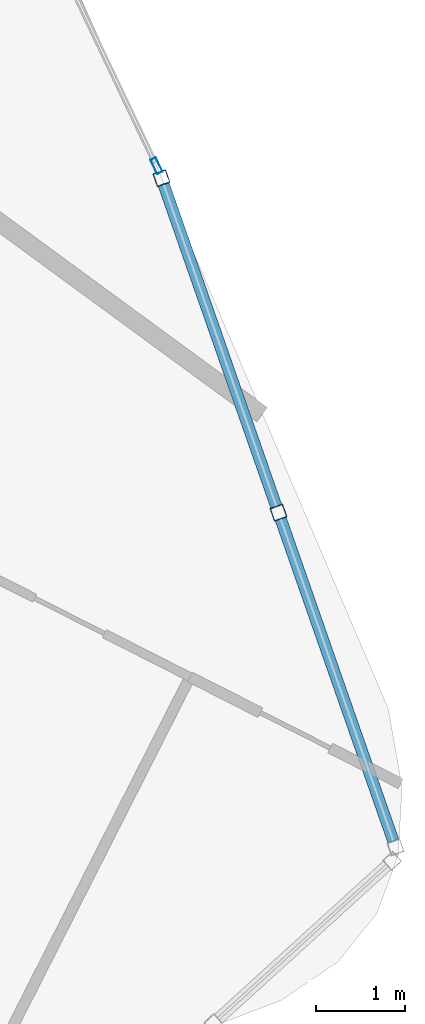
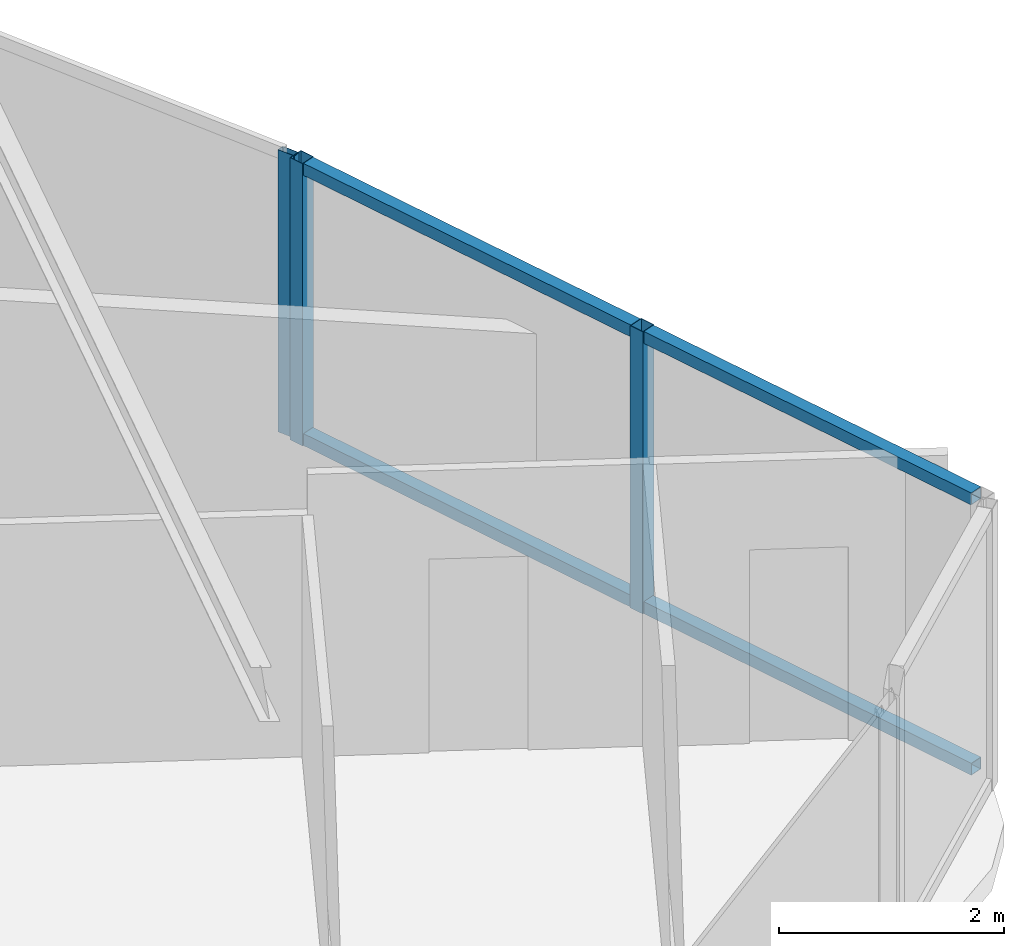
# One storey, part 17 of 35: 7 members, 2 elements without a shape of their own.
"""IFC4 building model written with IfcOpenShell, lengths in metres."""

import ifcopenshell
import ifcopenshell.guid

model = None  # the IFC model being written
_history = None  # IfcOwnerHistory: only IFC2X3 demands one
_inside = {}  # id of a spatial element -> (the spatial element, [elements in it])
_under = {}  # id of a project, library or spatial element -> (it, [spatial elements below it])
_declared = {}  # id of a project -> (the project, [libraries it declares])
_typed = {}  # id of a type object -> (the type object, [elements of that type])
_made_of = {}  # id of a material, layer set ... -> (it, [elements and type objects made of it])


def new_model(schema):
    """Start an empty IFC model of exactly this schema.

    Asked for "IFC4X3", IfcOpenShell would pick the latest addendum, in which some entities
    have other attributes; the version numbers below select the first issue.
    IFC2X3 requires an IfcOwnerHistory on every rooted entity: one is made here for all.
    """
    global model, _history
    if schema == "IFC4X3":
        model = ifcopenshell.file(schema_version=(4, 3, 0, 0))
    else:
        model = ifcopenshell.file(schema=schema)
    _inside.clear()
    _under.clear()
    _declared.clear()
    _typed.clear()
    _made_of.clear()
    _history = None
    if model.schema == "IFC2X3":
        org = make("IfcOrganization", Name="unknown")
        user = make(
            "IfcPersonAndOrganization",
            ThePerson=make("IfcPerson", FamilyName="unknown"),
            TheOrganization=org,
        )
        app = make(
            "IfcApplication",
            ApplicationDeveloper=org,
            Version="unknown",
            ApplicationFullName="unknown",
            ApplicationIdentifier="unknown",
        )
        _history = make(
            "IfcOwnerHistory",
            OwningUser=user,
            OwningApplication=app,
            ChangeAction="ADDED",
            CreationDate=0,
        )
    return model


def make(cls, **values):
    """One entity of the class cls with the attributes given. An attribute that is None is left unset."""
    return model.create_entity(
        cls, **{name: value for name, value in values.items() if value is not None}
    )


def rooted(cls, **values):
    """An entity with a GlobalId (a new one), such as an element, a storey or a relation."""
    return make(cls, GlobalId=ifcopenshell.guid.new(), OwnerHistory=_history, **values)


def si_unit(unit_type, name, prefix=None):
    """IfcSIUnit, for example si_unit("LENGTHUNIT", "METRE", prefix="MILLI")."""
    return make("IfcSIUnit", UnitType=unit_type, Prefix=prefix, Name=name)


def assignment(units):
    """IfcUnitAssignment: the units of a project."""
    return None if units is None else make("IfcUnitAssignment", Units=units)


def point(xyz):
    """IfcCartesianPoint."""
    return None if xyz is None else make("IfcCartesianPoint", Coordinates=xyz)


def direction(xyz):
    """IfcDirection."""
    return None if xyz is None else make("IfcDirection", DirectionRatios=xyz)


def frame(location, z_axis=None, x_axis=None):
    """IfcAxis2Placement3D, a coordinate frame: its origin and axes. An axis left out is left unset."""
    return make(
        "IfcAxis2Placement3D",
        Location=point(location),
        Axis=direction(z_axis),
        RefDirection=direction(x_axis),
    )


def frame_2d(location, x_axis=None):
    """IfcAxis2Placement2D, a coordinate frame in the plane: its origin and x axis."""
    return make(
        "IfcAxis2Placement2D", Location=point(location), RefDirection=direction(x_axis)
    )


def origin():
    """The frame at (0, 0, 0) with its axes left unset."""
    return frame((0.0, 0.0, 0.0))


def origin_2d():
    """The frame at (0, 0) in the plane with its x axis left unset."""
    return frame_2d((0.0, 0.0))


def place(relative_to, where):
    """IfcLocalPlacement: puts the frame where relative to a parent placement (None: the world)."""
    return make(
        "IfcLocalPlacement", PlacementRelTo=relative_to, RelativePlacement=where
    )


def context(
    kind, dimensions, precision=None, world=None, true_north=None, identifier=None
):
    """IfcGeometricRepresentationContext, for example the 3D "Model" context."""
    return make(
        "IfcGeometricRepresentationContext",
        ContextIdentifier=identifier,
        ContextType=kind,
        CoordinateSpaceDimension=dimensions,
        Precision=precision,
        WorldCoordinateSystem=world,
        TrueNorth=true_north,
    )


def subcontext(parent, identifier, kind, view, scale=None):
    """IfcGeometricRepresentationSubContext, for example "Body" below "Model"."""
    return make(
        "IfcGeometricRepresentationSubContext",
        ContextIdentifier=identifier,
        ContextType=kind,
        ParentContext=parent,
        TargetScale=scale,
        TargetView=view,
    )


def project(units=None, contexts=None):
    """IfcProject with its units and contexts."""
    return rooted(
        "IfcProject",
        Name="project",
        RepresentationContexts=contexts,
        UnitsInContext=assignment(units),
    )


def spatial(cls, under=None, at=None, **own):
    """A site, building, storey or space (cls), placed at a placement, below another one or the project."""
    s = rooted(cls, ObjectPlacement=at, **own)
    if under is not None:
        _under.setdefault(under.id(), (under, []))[1].append(s)
    return s


def profile(cls, at=None, kind="AREA", **sizes):
    """A parametric profile (cls). Its sizes go by their IFC names, for example OverallWidth=200.0."""
    return make(cls, ProfileType=kind, Position=at, **sizes)


def hollow_rectangle(**sizes):
    """IfcRectangleHollowProfileDef."""
    return profile("IfcRectangleHollowProfileDef", **sizes)


def extrude(swept, where, along, depth):
    """IfcExtrudedAreaSolid: the profile swept, set in the frame where, extruded along a direction by depth."""
    return make(
        "IfcExtrudedAreaSolid",
        SweptArea=swept,
        Position=where,
        ExtrudedDirection=direction(along),
        Depth=depth,
    )


def shape(context_of_items, identifier, shape_type, items):
    """IfcShapeRepresentation: the items that make up one representation, for example the "Body"."""
    return make(
        "IfcShapeRepresentation",
        ContextOfItems=context_of_items,
        RepresentationIdentifier=identifier,
        RepresentationType=shape_type,
        Items=items,
    )


def material(Name=None, Category=None):
    """IfcMaterial."""
    return make("IfcMaterial", Name=Name, Category=Category)


def layer(
    of_material, thickness, ventilated=None, Name=None, Category=None, Priority=None
):
    """IfcMaterialLayer: one layer of a wall or slab, of a material (None: an air gap)."""
    return make(
        "IfcMaterialLayer",
        Material=of_material,
        LayerThickness=thickness,
        IsVentilated=ventilated,
        Name=Name,
        Category=Category,
        Priority=Priority,
    )


def layer_set(layers, Name=None):
    """IfcMaterialLayerSet."""
    return make("IfcMaterialLayerSet", MaterialLayers=layers, LayerSetName=Name)


def material_profile(
    of_material, cross_section, Name=None, Category=None, Priority=None
):
    """IfcMaterialProfile: a cross section and its material."""
    return make(
        "IfcMaterialProfile",
        Name=Name,
        Material=of_material,
        Profile=cross_section,
        Priority=Priority,
        Category=Category,
    )


def profile_set(profiles, Name=None, composite=None):
    """IfcMaterialProfileSet."""
    return make(
        "IfcMaterialProfileSet",
        Name=Name,
        MaterialProfiles=profiles,
        CompositeProfile=composite,
    )


def made_of(thing, what):
    """Note that an element or type object is made of a material, layer set ...; save() writes the relation."""
    if what is not None:
        _made_of.setdefault(what.id(), (what, []))[1].append(thing)
    return thing


def type_object(cls, material=None, **own):
    """A type object (cls), such as IfcWallType, which elements share."""
    return made_of(rooted(cls, **own), material)


def element(
    cls,
    number,
    at=None,
    inside=None,
    cuts=None,
    type_object=None,
    material=None,
    context=None,
    identifier="Body",
    shape_type=None,
    held_by="IfcProductDefinitionShape",
    body=None,
    shapes=None,
    **own,
):
    """One element of the class cls, such as IfcWall. Its Tag is "e" and its number.

    at: its placement. inside: the storey or other place that contains it. cuts: it is an
    opening in that element (IfcRelVoidsElement). A single representation is given by context,
    identifier, shape_type and body (its items); several are given by shapes. held_by: the class
    of the entity that holds the representations. save() writes the other relations.
    """
    e = rooted(cls, Tag="e%d" % number, ObjectPlacement=at, **own)
    if body is not None:
        shapes = [shape(context, identifier, shape_type, body)]
    if shapes is not None:
        e.Representation = make(held_by, Representations=shapes)
    if inside is not None:
        _inside.setdefault(inside.id(), (inside, []))[1].append(e)
    if cuts is not None:
        rooted(
            "IfcRelVoidsElement", RelatingBuildingElement=cuts, RelatedOpeningElement=e
        )
    if type_object is not None:
        _typed.setdefault(type_object.id(), (type_object, []))[1].append(e)
    return made_of(e, material)


def aggregate(whole, parts):
    """IfcRelAggregates: a whole, such as a stair, and the parts it consists of."""
    return rooted("IfcRelAggregates", RelatingObject=whole, RelatedObjects=parts)


def save(model, path):
    """Write the relations noted so far, then the file.

    IfcRelAggregates (storeys below a building ...), IfcRelContainedInSpatialStructure (elements
    in a storey), IfcRelDefinesByType, IfcRelAssociatesMaterial and IfcRelDeclares: one each for
    every whole, place, type object, material and project.
    """
    for whole, parts in _under.values():
        aggregate(whole, parts)
    for where, things in _inside.values():
        rooted(
            "IfcRelContainedInSpatialStructure",
            RelatedElements=things,
            RelatingStructure=where,
        )
    for kind, things in _typed.values():
        rooted("IfcRelDefinesByType", RelatedObjects=things, RelatingType=kind)
    for what, things in _made_of.values():
        rooted("IfcRelAssociatesMaterial", RelatedObjects=things, RelatingMaterial=what)
    for by, libraries in _declared.values():
        rooted("IfcRelDeclares", RelatingContext=by, RelatedDefinitions=libraries)
    model.write(path)


model = new_model("IFC4")

# Units and contexts
model_context = context("Model", 3, precision=1e-05, world=origin(), true_north=direction((0.0, 1.0)))
body_context = subcontext(model_context, "Body", "Model", "MODEL_VIEW")
ifc_project = project(units=[si_unit("LENGTHUNIT", "METRE"), si_unit("AREAUNIT", "SQUARE_METRE"), si_unit("VOLUMEUNIT", "CUBIC_METRE"), si_unit("PLANEANGLEUNIT", "RADIAN"), si_unit("MASSUNIT", "GRAM", prefix="KILO")], contexts=[model_context])

# Site, building, storey
site_placement = place(None, origin())
site = spatial("IfcSite", under=ifc_project, at=site_placement, CompositionType="ELEMENT")
building_placement = place(site_placement, origin())
building = spatial("IfcBuilding", under=site, at=building_placement, Name="Orvanel Arch Residences", CompositionType="ELEMENT")
storey_placement = place(building_placement, frame((0.0, 0.0, 30.199951171875)))
storey = spatial("IfcBuildingStorey", under=building, at=storey_placement, Name="L07", CompositionType="ELEMENT", Elevation=30.199951171875)

# Curtain wall, members
ifc_material = material(Name="Bronze-anodised aluminium AA6063-T6", Category="aluminium")
ifc_layer_1 = layer(ifc_material, 0.18994140625)
ifc_layer_set_1 = layer_set([ifc_layer_1], Name="Bronze-anodised aluminium AA6063-T6")
curtain_wall_type_1 = type_object("IfcCurtainWallType", Name="CW5-CRN-SYS", PredefinedType="NOTDEFINED", material=ifc_layer_set_1)
curtain_wall_1_placement = place(storey_placement, origin())
curtain_wall_1 = element("IfcCurtainWall", 1, at=curtain_wall_1_placement, inside=storey, type_object=curtain_wall_type_1, Name="L07 CW5-CRN-SYS Unitised Curtain Wall", PredefinedType="NOTDEFINED")
ifc_material_profile_1 = material_profile(ifc_material, hollow_rectangle(XDim=0.14990234375, YDim=0.14990234375, WallThickness=0.0048828125, at=origin_2d()), Name="ALU150x150x5")
ifc_profile_set_1 = profile_set([ifc_material_profile_1], Name="Bronze-anodised aluminium AA6063-T6")
member_type_1 = type_object("IfcMemberType", Name="MUL-150x150", PredefinedType="MULLION", material=ifc_profile_set_1)
member_1_placement = place(storey_placement, frame((60.779541015625, 9.181884765625, 0.0), z_axis=(0.0, 0.0, 1.0), x_axis=(-0.943915900726, -0.330185966322, 0.0)))
member_1 = element("IfcMember", 2, at=member_1_placement, type_object=member_type_1, Name="CW-S5 mullion 2", PredefinedType="MULLION", context=body_context, shape_type="SweptSolid", body=[
    extrude(hollow_rectangle(XDim=0.14990234375, YDim=0.14990234375, WallThickness=0.0048828125, at=origin_2d()), origin(), (0.0, 0.0, 1.0), 3.06005859375),
])
member_2_placement = place(storey_placement, frame((59.462646484375, 12.9462890625, 0.0), z_axis=(0.0, 0.0, 1.0), x_axis=(-0.943915900726, -0.330185966322, 0.0)))
member_2 = element("IfcMember", 3, at=member_2_placement, type_object=member_type_1, Name="CW-S5 mullion 3", PredefinedType="MULLION", context=body_context, shape_type="SweptSolid", body=[
    extrude(hollow_rectangle(XDim=0.14990234375, YDim=0.14990234375, WallThickness=0.0048828125, at=origin_2d()), origin(), (0.0, 0.0, 1.0), 3.06005859375),
])

# Curtain wall, member
ifc_layer_2 = layer(ifc_material, 0.179931640625)
ifc_layer_set_2 = layer_set([ifc_layer_2], Name="Bronze-anodised aluminium AA6063-T6")
curtain_wall_type_2 = type_object("IfcCurtainWallType", Name="CW2-LOW-SYS", PredefinedType="NOTDEFINED", material=ifc_layer_set_2)
curtain_wall_2_placement = place(storey_placement, origin())
curtain_wall_2 = element("IfcCurtainWall", 4, at=curtain_wall_2_placement, inside=storey, type_object=curtain_wall_type_2, Name="L07 CW2-LOW-SYS Unitised Curtain Wall", PredefinedType="NOTDEFINED")
ifc_material_profile_2 = material_profile(ifc_material, hollow_rectangle(XDim=0.070068359375, YDim=0.179931640625, WallThickness=0.00439453125, at=origin_2d()), Name="ALU180x70x4.5")
ifc_profile_set_2 = profile_set([ifc_material_profile_2], Name="Bronze-anodised aluminium AA6063-T6")
member_type_2 = type_object("IfcMemberType", Name="MUL-180x70", PredefinedType="MULLION", material=ifc_profile_set_2)
member_3_placement = place(storey_placement, frame((59.406982421875, 13.085693359375, 0.0), z_axis=(0.0, 0.0, 1.0), x_axis=(-0.903402710016, -0.428793124403, 0.0)))
member_3 = element("IfcMember", 5, at=member_3_placement, type_object=member_type_2, Name="CW-S2 mullion 1", PredefinedType="MULLION", context=body_context, shape_type="SweptSolid", body=[
    extrude(hollow_rectangle(XDim=0.070068359375, YDim=0.179931640625, WallThickness=0.00439453125, at=origin_2d()), origin(), (0.0, 0.0, 1.0), 3.06005859375),
])
aggregate(curtain_wall_2, [member_3])

# Member
ifc_material_profile_3 = material_profile(ifc_material, hollow_rectangle(XDim=0.1298828125, YDim=0.1298828125, WallThickness=0.00439453125, at=origin_2d()), Name="ALU130x130x4.5")
ifc_profile_set_3 = profile_set([ifc_material_profile_3], Name="Bronze-anodised aluminium AA6063-T6")
member_type_3 = type_object("IfcMemberType", Name="TRN-130x130", PredefinedType="USERDEFINED", material=ifc_profile_set_3)
member_4_placement = place(storey_placement, frame((62.071533203125, 5.488525390625, 0.06494140625), z_axis=(-0.330200249609, 0.943910904248, 0.0), x_axis=(-0.943910904248, -0.330200249609, 0.0)))
member_4 = element("IfcMember", 6, at=member_4_placement, type_object=member_type_3, Name="CW-S5 transom 1.1", ObjectType="TRANSOM", PredefinedType="USERDEFINED", context=body_context, shape_type="SweptSolid", body=[
    extrude(hollow_rectangle(XDim=0.1298828125, YDim=0.1298828125, WallThickness=0.00439453125, at=origin_2d()), origin(), (0.0, 0.0, 1.0), 3.838134765625),
])

member_5_placement = place(storey_placement, frame((62.071533203125, 5.488525390625, 2.9951171875), z_axis=(-0.330200249609, 0.943910904248, 0.0), x_axis=(-0.943910904248, -0.330200249609, 0.0)))
member_5 = element("IfcMember", 7, at=member_5_placement, type_object=member_type_3, Name="CW-S5 transom 1.2", ObjectType="TRANSOM", PredefinedType="USERDEFINED", context=body_context, shape_type="SweptSolid", body=[
    extrude(hollow_rectangle(XDim=0.1298828125, YDim=0.1298828125, WallThickness=0.00439453125, at=origin_2d()), origin(), (0.0, 0.0, 1.0), 3.838134765625),
])

member_6_placement = place(storey_placement, frame((60.754638671875, 9.252685546875, 0.06494140625), z_axis=(-0.330143573235, 0.943930728948, 0.0), x_axis=(-0.943930728948, -0.330143573235, 0.0)))
member_6 = element("IfcMember", 8, at=member_6_placement, type_object=member_type_3, Name="CW-S5 transom 2.1", ObjectType="TRANSOM", PredefinedType="USERDEFINED", context=body_context, shape_type="SweptSolid", body=[
    extrude(hollow_rectangle(XDim=0.1298828125, YDim=0.1298828125, WallThickness=0.00439453125, at=origin_2d()), origin(), (0.0, 0.0, 1.0), 3.837890625),
])

member_7_placement = place(storey_placement, frame((60.754638671875, 9.252685546875, 2.9951171875), z_axis=(-0.330143573235, 0.943930728948, 0.0), x_axis=(-0.943930728948, -0.330143573235, 0.0)))
member_7 = element("IfcMember", 9, at=member_7_placement, type_object=member_type_3, Name="CW-S5 transom 2.2", ObjectType="TRANSOM", PredefinedType="USERDEFINED", context=body_context, shape_type="SweptSolid", body=[
    extrude(hollow_rectangle(XDim=0.1298828125, YDim=0.1298828125, WallThickness=0.00439453125, at=origin_2d()), origin(), (0.0, 0.0, 1.0), 3.837890625),
])

aggregate(curtain_wall_1, [member_1, member_2, member_4, member_5, member_6, member_7])

save(model, "model.ifc")
